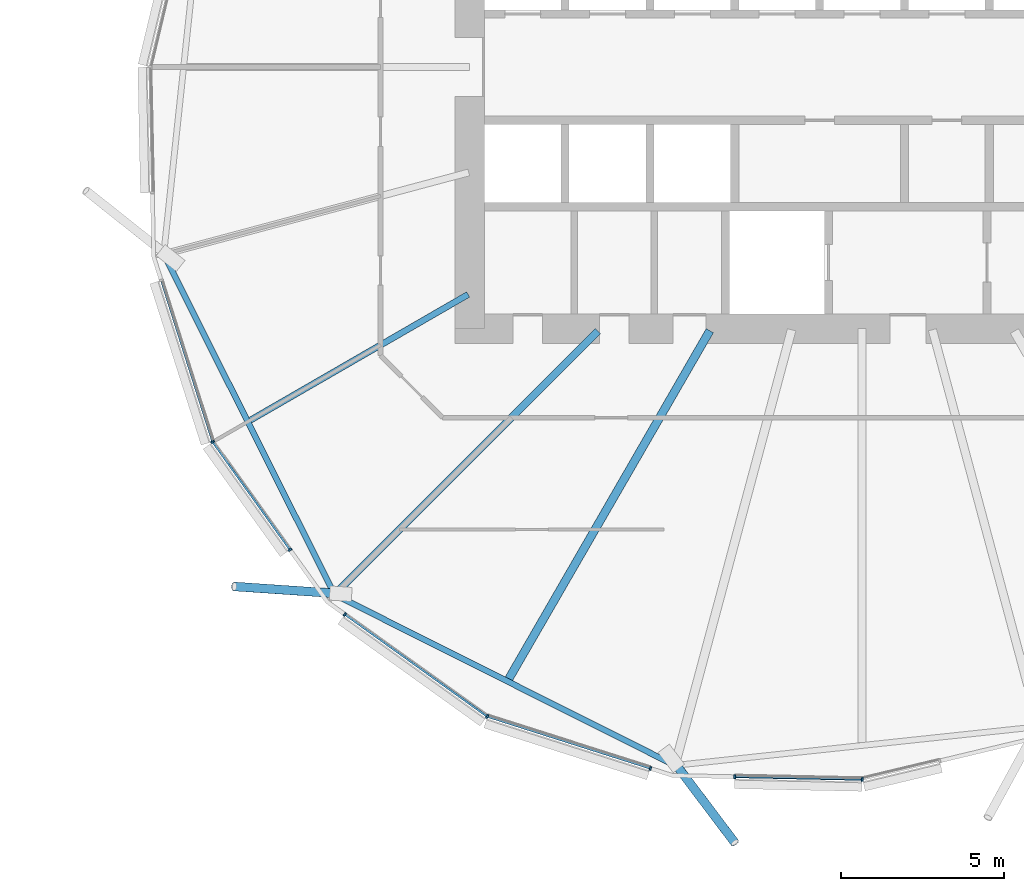
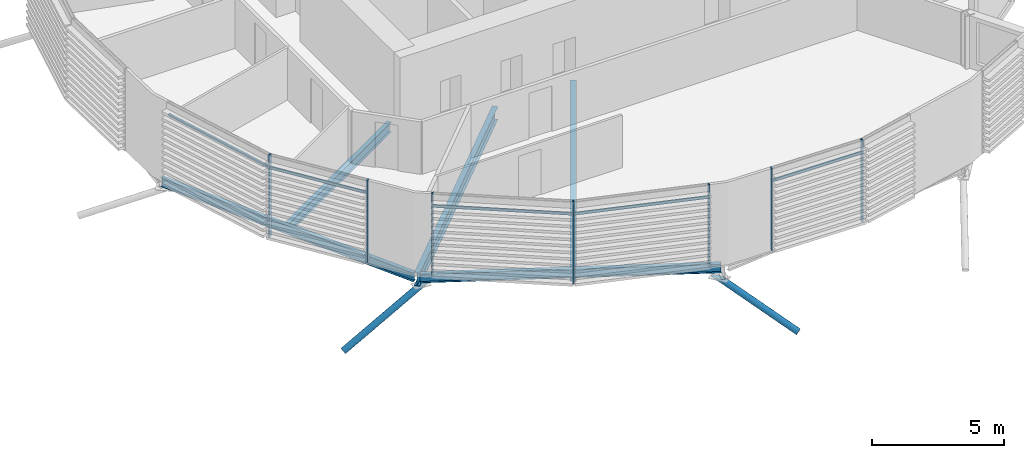
# One storey, part 12 of 37: 14 members, 5 beams, 1 element without a shape of its own.
"""IFC4 building model written with IfcOpenShell, lengths in metres."""

from ifc_helpers import new_model, si_unit, direction, frame, origin, origin_2d, place, context, subcontext, project, spatial, rectangle, hollow_circle, i_section, extrude, clip, halfspace, material, material_profile, profile_set, type_object, element, aggregate, save


model = new_model("IFC4")

# Units and contexts
model_context = context("Model", 3, precision=1e-05, world=origin(), true_north=direction((0.0, 1.0)))
body_context = subcontext(model_context, "Body", "Model", "MODEL_VIEW")
ifc_project = project(units=[si_unit("LENGTHUNIT", "METRE"), si_unit("AREAUNIT", "SQUARE_METRE"), si_unit("VOLUMEUNIT", "CUBIC_METRE"), si_unit("PLANEANGLEUNIT", "RADIAN"), si_unit("MASSUNIT", "GRAM", prefix="KILO")], contexts=[model_context])

# Site, building, storey
site_placement = place(None, origin())
site = spatial("IfcSite", under=ifc_project, at=site_placement, CompositionType="ELEMENT")
building_placement = place(site_placement, origin())
building = spatial("IfcBuilding", under=site, at=building_placement, Name="Rimbun Link Towers", CompositionType="ELEMENT")
storey_placement = place(building_placement, frame((0.0, 0.0, 60.39990234375)))
storey = spatial("IfcBuildingStorey", under=building, at=storey_placement, Name="L14", CompositionType="ELEMENT", Elevation=60.39990234375)

# Curtain wall, members
ifc_material_1 = material(Name="Aluminium 6063-T6 and low-iron glass", Category="aluminium")
curtain_wall_type = type_object("IfcCurtainWallType", Name="CW1 unitised vision wall", PredefinedType="NOTDEFINED", material=ifc_material_1)
curtain_wall_placement = place(storey_placement, origin())
curtain_wall = element("IfcCurtainWall", 1, at=curtain_wall_placement, inside=storey, type_object=curtain_wall_type, Name="CW1 L14 T2", PredefinedType="NOTDEFINED")
ifc_material_2 = material(Name="Aluminium 6063-T6", Category="aluminium")
ifc_material_profile_1 = material_profile(ifc_material_2, rectangle(XDim=0.1201171875, YDim=0.06005859375, at=origin_2d()), Name="MULLION 60X120")
ifc_profile_set_1 = profile_set([ifc_material_profile_1], Name="Aluminium 6063-T6")
member_type_1 = type_object("IfcMemberType", Name="CW1 mullion 60X120", PredefinedType="MULLION", material=ifc_profile_set_1)
member_1_placement = place(storey_placement, frame((11.884521484375, -11.46533203125, 0.0), z_axis=(0.0, 0.0, 1.0), x_axis=(-0.89374591816, -0.448573554472, 0.0)))
member_1 = element("IfcMember", 2, at=member_1_placement, type_object=member_type_1, Name="CW1 mullion", PredefinedType="MULLION", context=body_context, shape_type="SweptSolid", body=[
    extrude(rectangle(XDim=0.1201171875, YDim=0.06005859375, at=origin_2d()), origin(), (0.0, 0.0, 1.0), 3.800048828125),
])
member_2_placement = place(storey_placement, frame((14.250732421875, -14.76416015625, 0.0), z_axis=(0.0, 0.0, 1.0), x_axis=(-0.812469264421, -0.583004026034, 0.0)))
member_2 = element("IfcMember", 3, at=member_2_placement, type_object=member_type_1, Name="CW1 mullion", PredefinedType="MULLION", context=body_context, shape_type="SweptSolid", body=[
    extrude(rectangle(XDim=0.1201171875, YDim=0.06005859375, at=origin_2d()), origin(), (0.0, 0.0, 1.0), 3.800048828125),
])
member_3_placement = place(storey_placement, frame((20.28466796875, -19.865478515625, 0.0), z_axis=(0.0, 0.0, 1.0), x_axis=(-0.448573554472, -0.89374591816, 0.0)))
member_3 = element("IfcMember", 4, at=member_3_placement, type_object=member_type_1, Name="CW1 mullion", PredefinedType="MULLION", context=body_context, shape_type="SweptSolid", body=[
    extrude(rectangle(XDim=0.1201171875, YDim=0.06005859375, at=origin_2d()), origin(), (0.0, 0.0, 1.0), 3.800048828125),
])
member_4_placement = place(storey_placement, frame((15.929443359375, -16.7412109375, 0.0), z_axis=(0.0, 0.0, 1.0), x_axis=(-0.583004026034, -0.812469264421, 0.0)))
member_4 = element("IfcMember", 5, at=member_4_placement, type_object=member_type_1, Name="CW1 mullion", PredefinedType="MULLION", context=body_context, shape_type="SweptSolid", body=[
    extrude(rectangle(XDim=0.1201171875, YDim=0.06005859375, at=origin_2d()), origin(), (0.0, 0.0, 1.0), 3.800048828125),
])
member_5_placement = place(storey_placement, frame((25.27490234375, -21.453369140625, 0.0), z_axis=(0.0, 0.0, 1.0), x_axis=(-0.303073433186, -0.952967205153, 0.0)))
member_5 = element("IfcMember", 6, at=member_5_placement, type_object=member_type_1, Name="CW1 mullion", PredefinedType="MULLION", context=body_context, shape_type="SweptSolid", body=[
    extrude(rectangle(XDim=0.1201171875, YDim=0.06005859375, at=origin_2d()), origin(), (0.0, 0.0, 1.0), 3.800048828125),
])
member_6_placement = place(storey_placement, frame((31.75634765625, -21.7900390625, 0.0), z_axis=(0.0, 0.0, 1.0), x_axis=(0.106639525927, -0.994297747916, 0.0)))
member_6 = element("IfcMember", 7, at=member_6_placement, type_object=member_type_1, Name="CW1 mullion", PredefinedType="MULLION", context=body_context, shape_type="SweptSolid", body=[
    extrude(rectangle(XDim=0.1201171875, YDim=0.06005859375, at=origin_2d()), origin(), (0.0, 0.0, 1.0), 3.800048828125),
])
member_7_placement = place(storey_placement, frame((27.8583984375, -21.708251953125, 0.0), z_axis=(0.0, 0.0, 1.0), x_axis=(-0.02106649948, -0.999778076675, 0.0)))
member_7 = element("IfcMember", 8, at=member_7_placement, type_object=member_type_1, Name="CW1 mullion", PredefinedType="MULLION", context=body_context, shape_type="SweptSolid", body=[
    extrude(rectangle(XDim=0.1201171875, YDim=0.06005859375, at=origin_2d()), origin(), (0.0, 0.0, 1.0), 3.800048828125),
])
ifc_material_3 = material(Name="Aluminium 6063-T6", Category="aluminium")
ifc_material_profile_2 = material_profile(ifc_material_3, rectangle(XDim=0.06005859375, YDim=0.1201171875, at=origin_2d()), Name="TRANSOM 60X120")
ifc_profile_set_2 = profile_set([ifc_material_profile_2], Name="Aluminium 6063-T6")
member_type_2 = type_object("IfcMemberType", Name="CW1 transom 60X120", PredefinedType="USERDEFINED", material=ifc_profile_set_2)
member_8_placement = place(storey_placement, frame((11.873779296875, -11.427490234375, 3.2001953125), z_axis=(-0.303087473621, 0.952962739741, 0.0), x_axis=(-0.952962739741, -0.303087473621, 0.0)))
member_8 = element("IfcMember", 9, at=member_8_placement, type_object=member_type_2, Name="CW1 transom", ObjectType="TRANSOM", PredefinedType="USERDEFINED", context=body_context, shape_type="SweptSolid", body=[
    extrude(rectangle(XDim=0.06005859375, YDim=0.1201171875, at=origin_2d()), origin(), (0.0, 0.0, 1.0), 5.117431640625),
])
member_9_placement = place(storey_placement, frame((14.23486328125, -14.73876953125, 3.2001953125), z_axis=(-0.582990413826, 0.812479031967, 0.0), x_axis=(-0.812479031967, -0.582990413826, 0.0)))
member_9 = element("IfcMember", 10, at=member_9_placement, type_object=member_type_2, Name="CW1 transom", ObjectType="TRANSOM", PredefinedType="USERDEFINED", context=body_context, shape_type="SweptSolid", body=[
    extrude(rectangle(XDim=0.06005859375, YDim=0.1201171875, at=origin_2d()), origin(), (0.0, 0.0, 1.0), 3.990478515625),
])
member_10_placement = place(storey_placement, frame((20.25341796875, -19.841552734375, 3.2001953125), z_axis=(-0.812459368995, 0.583017815965, 0.0), x_axis=(-0.583017815965, -0.812459368995, 0.0)))
member_10 = element("IfcMember", 11, at=member_10_placement, type_object=member_type_2, Name="CW1 transom", ObjectType="TRANSOM", PredefinedType="USERDEFINED", context=body_context, shape_type="SweptSolid", body=[
    extrude(rectangle(XDim=0.06005859375, YDim=0.1201171875, at=origin_2d()), origin(), (0.0, 0.0, 1.0), 5.29052734375),
])
member_11_placement = place(storey_placement, frame((25.246826171875, -21.4423828125, 3.2001953125), z_axis=(-0.95296300276, 0.303086646639, 0.0), x_axis=(-0.303086646639, -0.95296300276, 0.0)))
member_11 = element("IfcMember", 12, at=member_11_placement, type_object=member_type_2, Name="CW1 transom", ObjectType="TRANSOM", PredefinedType="USERDEFINED", context=body_context, shape_type="SweptSolid", body=[
    extrude(rectangle(XDim=0.06005859375, YDim=0.1201171875, at=origin_2d()), origin(), (0.0, 0.0, 1.0), 5.16748046875),
])
member_12_placement = place(storey_placement, frame((31.71875, -21.78759765625, 3.2001953125), z_axis=(-0.999778862049, 0.021029193988, 0.0), x_axis=(-0.021029193988, -0.999778862049, 0.0)))
member_12 = element("IfcMember", 13, at=member_12_placement, type_object=member_type_2, Name="CW1 transom", ObjectType="TRANSOM", PredefinedType="USERDEFINED", context=body_context, shape_type="SweptSolid", body=[
    extrude(rectangle(XDim=0.06005859375, YDim=0.1201171875, at=origin_2d()), origin(), (0.0, 0.0, 1.0), 3.8310546875),
])
aggregate(curtain_wall, [member_1, member_2, member_3, member_4, member_5, member_6, member_7, member_8, member_9, member_10, member_11, member_12])

# Members
ifc_material_4 = material(Name="Steel S355J2H", Category="steel")
ifc_material_profile_3 = material_profile(ifc_material_4, hollow_circle(Radius=0.136474609375, WallThickness=0.012451171875, at=origin_2d()), Name="CHS 273x12.5")
ifc_profile_set_3 = profile_set([ifc_material_profile_3], Name="Steel S355J2H")
member_type_3 = type_object("IfcMemberType", Name="Floor edge link CHS 273x12.5", PredefinedType="BRACE", material=ifc_profile_set_3)
member_13_placement = place(storey_placement, frame((15.65087890625, -16.09912109375, -0.87841796875), z_axis=(-0.846091183872, 0.057662398148, -0.529910139942), x_axis=(-0.06799379746, -0.997685743863, 0.0)))
element("IfcMember", 14, at=member_13_placement, inside=storey, type_object=member_type_3, Name="Floor edge link T2 L14 12", PredefinedType="BRACE", context=body_context, shape_type="Clipping", body=[
    clip(extrude(hollow_circle(Radius=0.136474609375, WallThickness=0.012451171875, at=origin_2d()), frame((0.0, 0.0, -0.455810546875)), (0.0, 0.0, 1.0), 4.135009765625), halfspace(frame((0.0, 0.0, -0.215087890625), z_axis=(0.0, 0.848053797578, -0.529910139942)), False)),
])
member_14_placement = place(storey_placement, frame((26.03955078125, -21.311279296875, -1.044677734375), z_axis=(0.539000836401, -0.715086460814, -0.445117346235), x_axis=(0.798557925052, 0.601917968112, 0.0)))
element("IfcMember", 15, at=member_14_placement, inside=storey, type_object=member_type_3, Name="Floor edge link T2 L14 14", PredefinedType="BRACE", context=body_context, shape_type="Clipping", body=[
    clip(extrude(hollow_circle(Radius=0.136474609375, WallThickness=0.012451171875, at=origin_2d()), frame((0.0, 0.0, -0.571533203125)), (0.0, 0.0, 1.0), 3.95751953125), halfspace(frame((0.0, 0.0, -0.27099609375), z_axis=(0.0, 0.895472248638, -0.445117346235)), False)),
])

# Beams
ifc_material_5 = material(Name="Steel S355J2", Category="steel")
ifc_material_profile_4 = material_profile(ifc_material_5, i_section(OverallWidth=0.177978515625, OverallDepth=0.406494140625, WebThickness=0.0078125, FlangeThickness=0.0126953125, at=origin_2d()), Name="UB 406x178x60")
ifc_profile_set_4 = profile_set([ifc_material_profile_4], Name="Steel S355J2")
beam_type_1 = type_object("IfcBeamType", Name="UB 406x178x60", PredefinedType="BEAM", material=ifc_profile_set_4)
beam_1_placement = place(storey_placement, frame((10.438720703125, -5.819580078125, -0.363037109375), z_axis=(0.448555637413, -0.893754910557, 0.0), x_axis=(0.893754910557, 0.448555637413, 0.0)))
element("IfcBeam", 16, at=beam_1_placement, inside=storey, type_object=beam_type_1, Name="Edge beam T2 L14 10-12", PredefinedType="BEAM", context=body_context, shape_type="SweptSolid", body=[
    extrude(i_section(OverallWidth=0.177978515625, OverallDepth=0.406494140625, WebThickness=0.0078125, FlangeThickness=0.0126953125, at=origin_2d()), origin(), (0.0, 0.0, 1.0), 11.420166015625),
])
beam_2_placement = place(storey_placement, frame((15.7236328125, -16.188720703125, -0.363037109375), z_axis=(0.893753168057, -0.448559109358, 0.0), x_axis=(0.448559109358, 0.893753168057, 0.0)))
element("IfcBeam", 17, at=beam_2_placement, inside=storey, type_object=beam_type_1, Name="Edge beam T2 L14 12-14", PredefinedType="BEAM", context=body_context, shape_type="SweptSolid", body=[
    extrude(i_section(OverallWidth=0.177978515625, OverallDepth=0.406494140625, WebThickness=0.0078125, FlangeThickness=0.0126953125, at=origin_2d()), origin(), (0.0, 0.0, 1.0), 11.390625),
])
ifc_material_6 = material(Name="Steel S355J2", Category="steel")
ifc_material_profile_5 = material_profile(ifc_material_6, i_section(OverallWidth=0.18994140625, OverallDepth=0.453369140625, WebThickness=0.008544921875, FlangeThickness=0.0126953125, at=origin_2d()), Name="UB 457x191x67")
ifc_profile_set_5 = profile_set([ifc_material_profile_5], Name="Steel S355J2")
beam_type_2 = type_object("IfcBeamType", Name="UB 457x191x67", PredefinedType="BEAM", material=ifc_profile_set_5)
beam_3_placement = place(storey_placement, frame((19.70166015625, -6.9560546875, -0.38671875), z_axis=(-0.866019623948, -0.500010010836, 0.0), x_axis=(0.500010010836, -0.866019623948, 0.0)))
element("IfcBeam", 18, at=beam_3_placement, inside=storey, type_object=beam_type_2, Name="Radial beam T2 L14 11", PredefinedType="BEAM", context=body_context, shape_type="SweptSolid", body=[
    extrude(i_section(OverallWidth=0.18994140625, OverallDepth=0.453369140625, WebThickness=0.008544921875, FlangeThickness=0.0126953125, at=origin_2d()), origin(), (0.0, 0.0, 1.0), 7.692138671875),
])
ifc_material_7 = material(Name="Steel S355J2", Category="steel")
ifc_material_profile_6 = material_profile(ifc_material_7, i_section(OverallWidth=0.2275390625, OverallDepth=0.6025390625, WebThickness=0.010498046875, FlangeThickness=0.014892578125, at=origin_2d()), Name="UB 610x229x101")
ifc_profile_set_6 = profile_set([ifc_material_profile_6], Name="Steel S355J2")
beam_type_3 = type_object("IfcBeamType", Name="UB 610x229x101", PredefinedType="BEAM", material=ifc_profile_set_6)
beam_4_placement = place(storey_placement, frame((23.668701171875, -8.081298828125, -0.461181640625), z_axis=(-0.707106781187, -0.707106781187, 0.0), x_axis=(0.707106781187, -0.707106781187, 0.0)))
element("IfcBeam", 19, at=beam_4_placement, inside=storey, type_object=beam_type_3, Name="Radial beam T2 L14 12", PredefinedType="BEAM", context=body_context, shape_type="SweptSolid", body=[
    extrude(i_section(OverallWidth=0.2275390625, OverallDepth=0.6025390625, WebThickness=0.010498046875, FlangeThickness=0.014892578125, at=origin_2d()), origin(), (0.0, 0.0, 1.0), 11.388916015625),
])
ifc_material_8 = material(Name="Steel S355J2", Category="steel")
ifc_material_profile_7 = material_profile(ifc_material_8, i_section(OverallWidth=0.253662109375, OverallDepth=0.68359375, WebThickness=0.012451171875, FlangeThickness=0.01904296875, at=origin_2d()), Name="UB 686x254x140")
ifc_profile_set_7 = profile_set([ifc_material_profile_7], Name="Steel S355J2")
beam_type_4 = type_object("IfcBeamType", Name="UB 686x254x140", PredefinedType="BEAM", material=ifc_profile_set_7)
beam_5_placement = place(storey_placement, frame((27.093994140625, -8.064208984375, -0.501708984375), z_axis=(-0.499994660107, -0.866028486751, 0.0), x_axis=(0.866028486751, -0.499994660107, 0.0)))
element("IfcBeam", 20, at=beam_5_placement, inside=storey, type_object=beam_type_4, Name="Radial beam T2 L14 13", PredefinedType="BEAM", context=body_context, shape_type="SweptSolid", body=[
    extrude(i_section(OverallWidth=0.253662109375, OverallDepth=0.68359375, WebThickness=0.012451171875, FlangeThickness=0.01904296875, at=origin_2d()), origin(), (0.0, 0.0, 1.0), 12.292724609375),
])

save(model, "model.ifc")
